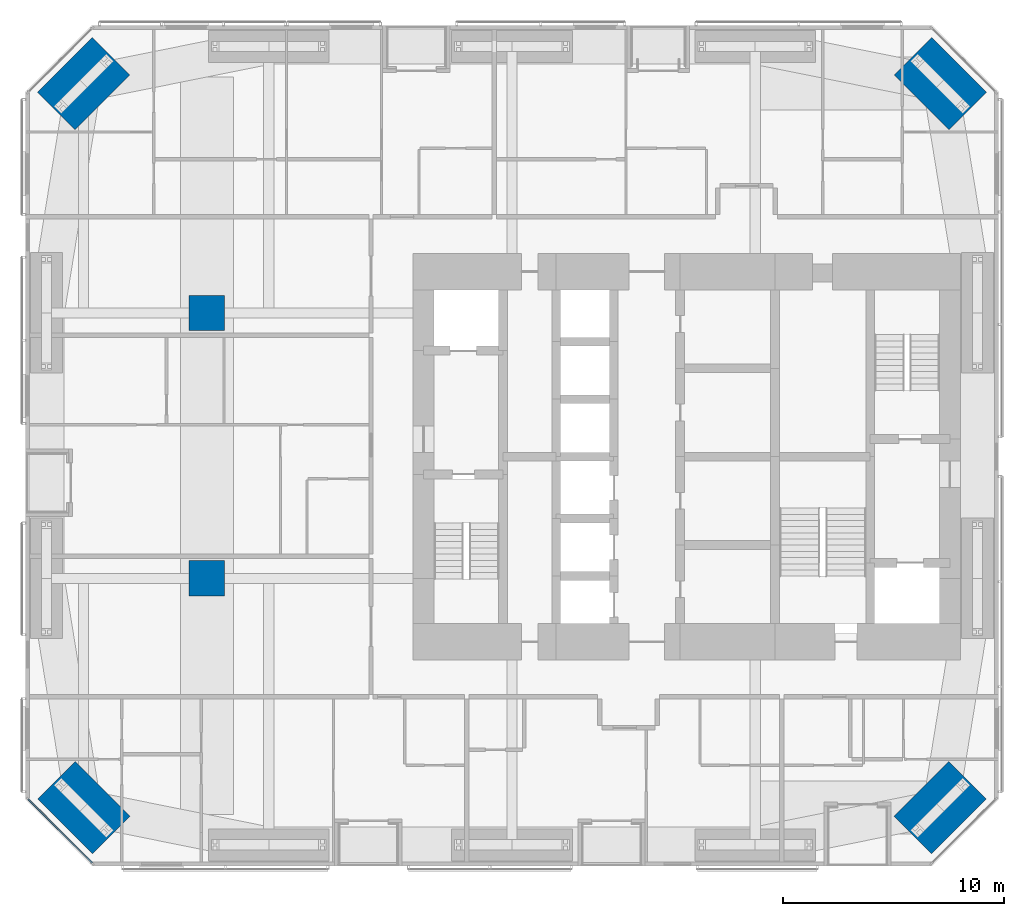
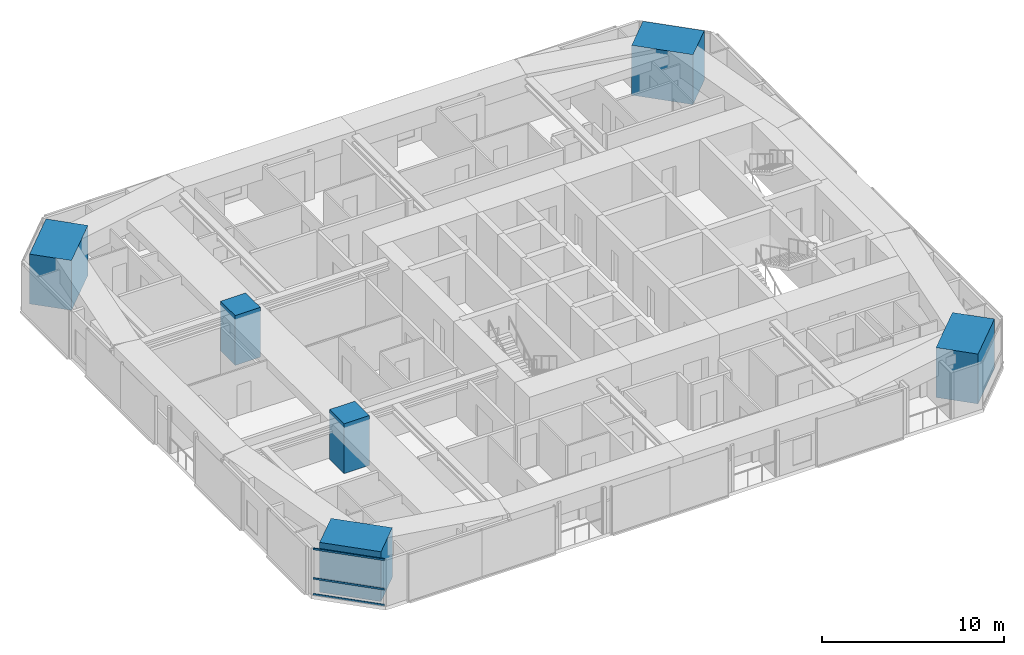
# One storey, part 1 of 23: 6 columns, 3 members, 1 element without a shape of its own.
"""IFC4 building model written with IfcOpenShell, lengths in metres."""

import ifcopenshell
import ifcopenshell.guid

model = None  # the IFC model being written
_history = None  # IfcOwnerHistory: only IFC2X3 demands one
_inside = {}  # id of a spatial element -> (the spatial element, [elements in it])
_under = {}  # id of a project, library or spatial element -> (it, [spatial elements below it])
_declared = {}  # id of a project -> (the project, [libraries it declares])
_typed = {}  # id of a type object -> (the type object, [elements of that type])
_made_of = {}  # id of a material, layer set ... -> (it, [elements and type objects made of it])


def new_model(schema):
    """Start an empty IFC model of exactly this schema.

    Asked for "IFC4X3", IfcOpenShell would pick the latest addendum, in which some entities
    have other attributes; the version numbers below select the first issue.
    IFC2X3 requires an IfcOwnerHistory on every rooted entity: one is made here for all.
    """
    global model, _history
    if schema == "IFC4X3":
        model = ifcopenshell.file(schema_version=(4, 3, 0, 0))
    else:
        model = ifcopenshell.file(schema=schema)
    _inside.clear()
    _under.clear()
    _declared.clear()
    _typed.clear()
    _made_of.clear()
    _history = None
    if model.schema == "IFC2X3":
        org = make("IfcOrganization", Name="unknown")
        user = make(
            "IfcPersonAndOrganization",
            ThePerson=make("IfcPerson", FamilyName="unknown"),
            TheOrganization=org,
        )
        app = make(
            "IfcApplication",
            ApplicationDeveloper=org,
            Version="unknown",
            ApplicationFullName="unknown",
            ApplicationIdentifier="unknown",
        )
        _history = make(
            "IfcOwnerHistory",
            OwningUser=user,
            OwningApplication=app,
            ChangeAction="ADDED",
            CreationDate=0,
        )
    return model


def make(cls, **values):
    """One entity of the class cls with the attributes given. An attribute that is None is left unset."""
    return model.create_entity(
        cls, **{name: value for name, value in values.items() if value is not None}
    )


def rooted(cls, **values):
    """An entity with a GlobalId (a new one), such as an element, a storey or a relation."""
    return make(cls, GlobalId=ifcopenshell.guid.new(), OwnerHistory=_history, **values)


def si_unit(unit_type, name, prefix=None):
    """IfcSIUnit, for example si_unit("LENGTHUNIT", "METRE", prefix="MILLI")."""
    return make("IfcSIUnit", UnitType=unit_type, Prefix=prefix, Name=name)


def assignment(units):
    """IfcUnitAssignment: the units of a project."""
    return None if units is None else make("IfcUnitAssignment", Units=units)


def point(xyz):
    """IfcCartesianPoint."""
    return None if xyz is None else make("IfcCartesianPoint", Coordinates=xyz)


def direction(xyz):
    """IfcDirection."""
    return None if xyz is None else make("IfcDirection", DirectionRatios=xyz)


def frame(location, z_axis=None, x_axis=None):
    """IfcAxis2Placement3D, a coordinate frame: its origin and axes. An axis left out is left unset."""
    return make(
        "IfcAxis2Placement3D",
        Location=point(location),
        Axis=direction(z_axis),
        RefDirection=direction(x_axis),
    )


def frame_2d(location, x_axis=None):
    """IfcAxis2Placement2D, a coordinate frame in the plane: its origin and x axis."""
    return make(
        "IfcAxis2Placement2D", Location=point(location), RefDirection=direction(x_axis)
    )


def origin():
    """The frame at (0, 0, 0) with its axes left unset."""
    return frame((0.0, 0.0, 0.0))


def origin_2d():
    """The frame at (0, 0) in the plane with its x axis left unset."""
    return frame_2d((0.0, 0.0))


def place(relative_to, where):
    """IfcLocalPlacement: puts the frame where relative to a parent placement (None: the world)."""
    return make(
        "IfcLocalPlacement", PlacementRelTo=relative_to, RelativePlacement=where
    )


def context(
    kind, dimensions, precision=None, world=None, true_north=None, identifier=None
):
    """IfcGeometricRepresentationContext, for example the 3D "Model" context."""
    return make(
        "IfcGeometricRepresentationContext",
        ContextIdentifier=identifier,
        ContextType=kind,
        CoordinateSpaceDimension=dimensions,
        Precision=precision,
        WorldCoordinateSystem=world,
        TrueNorth=true_north,
    )


def subcontext(parent, identifier, kind, view, scale=None):
    """IfcGeometricRepresentationSubContext, for example "Body" below "Model"."""
    return make(
        "IfcGeometricRepresentationSubContext",
        ContextIdentifier=identifier,
        ContextType=kind,
        ParentContext=parent,
        TargetScale=scale,
        TargetView=view,
    )


def project(units=None, contexts=None):
    """IfcProject with its units and contexts."""
    return rooted(
        "IfcProject",
        Name="project",
        RepresentationContexts=contexts,
        UnitsInContext=assignment(units),
    )


def spatial(cls, under=None, at=None, **own):
    """A site, building, storey or space (cls), placed at a placement, below another one or the project."""
    s = rooted(cls, ObjectPlacement=at, **own)
    if under is not None:
        _under.setdefault(under.id(), (under, []))[1].append(s)
    return s


def profile(cls, at=None, kind="AREA", **sizes):
    """A parametric profile (cls). Its sizes go by their IFC names, for example OverallWidth=200.0."""
    return make(cls, ProfileType=kind, Position=at, **sizes)


def rectangle(**sizes):
    """IfcRectangleProfileDef."""
    return profile("IfcRectangleProfileDef", **sizes)


def extrude(swept, where, along, depth):
    """IfcExtrudedAreaSolid: the profile swept, set in the frame where, extruded along a direction by depth."""
    return make(
        "IfcExtrudedAreaSolid",
        SweptArea=swept,
        Position=where,
        ExtrudedDirection=direction(along),
        Depth=depth,
    )


def shape(context_of_items, identifier, shape_type, items):
    """IfcShapeRepresentation: the items that make up one representation, for example the "Body"."""
    return make(
        "IfcShapeRepresentation",
        ContextOfItems=context_of_items,
        RepresentationIdentifier=identifier,
        RepresentationType=shape_type,
        Items=items,
    )


def material(Name=None, Category=None):
    """IfcMaterial."""
    return make("IfcMaterial", Name=Name, Category=Category)


def material_profile(
    of_material, cross_section, Name=None, Category=None, Priority=None
):
    """IfcMaterialProfile: a cross section and its material."""
    return make(
        "IfcMaterialProfile",
        Name=Name,
        Material=of_material,
        Profile=cross_section,
        Priority=Priority,
        Category=Category,
    )


def profile_set(profiles, Name=None, composite=None):
    """IfcMaterialProfileSet."""
    return make(
        "IfcMaterialProfileSet",
        Name=Name,
        MaterialProfiles=profiles,
        CompositeProfile=composite,
    )


def made_of(thing, what):
    """Note that an element or type object is made of a material, layer set ...; save() writes the relation."""
    if what is not None:
        _made_of.setdefault(what.id(), (what, []))[1].append(thing)
    return thing


def type_object(cls, material=None, **own):
    """A type object (cls), such as IfcWallType, which elements share."""
    return made_of(rooted(cls, **own), material)


def element(
    cls,
    number,
    at=None,
    inside=None,
    cuts=None,
    type_object=None,
    material=None,
    context=None,
    identifier="Body",
    shape_type=None,
    held_by="IfcProductDefinitionShape",
    body=None,
    shapes=None,
    **own,
):
    """One element of the class cls, such as IfcWall. Its Tag is "e" and its number.

    at: its placement. inside: the storey or other place that contains it. cuts: it is an
    opening in that element (IfcRelVoidsElement). A single representation is given by context,
    identifier, shape_type and body (its items); several are given by shapes. held_by: the class
    of the entity that holds the representations. save() writes the other relations.
    """
    e = rooted(cls, Tag="e%d" % number, ObjectPlacement=at, **own)
    if body is not None:
        shapes = [shape(context, identifier, shape_type, body)]
    if shapes is not None:
        e.Representation = make(held_by, Representations=shapes)
    if inside is not None:
        _inside.setdefault(inside.id(), (inside, []))[1].append(e)
    if cuts is not None:
        rooted(
            "IfcRelVoidsElement", RelatingBuildingElement=cuts, RelatedOpeningElement=e
        )
    if type_object is not None:
        _typed.setdefault(type_object.id(), (type_object, []))[1].append(e)
    return made_of(e, material)


def aggregate(whole, parts):
    """IfcRelAggregates: a whole, such as a stair, and the parts it consists of."""
    return rooted("IfcRelAggregates", RelatingObject=whole, RelatedObjects=parts)


def save(model, path):
    """Write the relations noted so far, then the file.

    IfcRelAggregates (storeys below a building ...), IfcRelContainedInSpatialStructure (elements
    in a storey), IfcRelDefinesByType, IfcRelAssociatesMaterial and IfcRelDeclares: one each for
    every whole, place, type object, material and project.
    """
    for whole, parts in _under.values():
        aggregate(whole, parts)
    for where, things in _inside.values():
        rooted(
            "IfcRelContainedInSpatialStructure",
            RelatedElements=things,
            RelatingStructure=where,
        )
    for kind, things in _typed.values():
        rooted("IfcRelDefinesByType", RelatedObjects=things, RelatingType=kind)
    for what, things in _made_of.values():
        rooted("IfcRelAssociatesMaterial", RelatedObjects=things, RelatingMaterial=what)
    for by, libraries in _declared.values():
        rooted("IfcRelDeclares", RelatingContext=by, RelatedDefinitions=libraries)
    model.write(path)


model = new_model("IFC4")

# Units and contexts
model_context = context("Model", 3, precision=1e-05, world=origin(), true_north=direction((0.0, 1.0)))
body_context = subcontext(model_context, "Body", "Model", "MODEL_VIEW")
ifc_project = project(units=[si_unit("LENGTHUNIT", "METRE"), si_unit("AREAUNIT", "SQUARE_METRE"), si_unit("VOLUMEUNIT", "CUBIC_METRE"), si_unit("PLANEANGLEUNIT", "RADIAN"), si_unit("MASSUNIT", "GRAM", prefix="KILO")], contexts=[model_context])

# Site, building, storey
site_placement = place(None, origin())
site = spatial("IfcSite", under=ifc_project, at=site_placement, CompositionType="ELEMENT")
building_placement = place(site_placement, origin())
building = spatial("IfcBuilding", under=site, at=building_placement, Name="Jalousie Tower", CompositionType="ELEMENT")
storey_placement = place(building_placement, frame((0.0, 0.0, 41.10009765625)))
storey = spatial("IfcBuildingStorey", under=building, at=storey_placement, Name="L10", CompositionType="ELEMENT", Elevation=41.10009765625)

# Columns
ifc_material_1 = material(Name="Concrete f'c 120 MPa", Category="concrete")
ifc_material_profile_1 = material_profile(ifc_material_1, rectangle(XDim=1.60009765625, YDim=1.60009765625, at=origin_2d()), Name="RC 1600x1600")
ifc_profile_set_1 = profile_set([ifc_material_profile_1], Name="Concrete f'c 120 MPa")
column_type_1 = type_object("IfcColumnType", Name="RC COLUMN 1600x1600", PredefinedType="COLUMN", material=ifc_profile_set_1)
for number, where, z_axis, x_axis, name in (
    (1, (10.199951171875, 13.0, 0.0), (0.0, 0.0, 1.0), (1.0, 0.0, 0.0), "Interior column IA1 L10"),
    (2, (10.199951171875, 25.0, 0.0), (0.0, 0.0, 1.0), (1.0, 0.0, 0.0), "Interior column IA2 L10"),
):
    element("IfcColumn", number, at=place(storey_placement, frame(where, z_axis=z_axis, x_axis=x_axis)), inside=storey, type_object=column_type_1, Name=name, PredefinedType="COLUMN", context=body_context, shape_type="SweptSolid", body=[
        extrude(rectangle(XDim=1.60009765625, YDim=1.60009765625, at=origin_2d()), origin(), (0.0, 0.0, 1.0), 3.349853515625),
    ])
ifc_material_2 = material(Name="Concrete f'c 120 MPa", Category="concrete")
ifc_material_profile_2 = material_profile(ifc_material_2, rectangle(XDim=2.39990234375, YDim=3.5, at=origin_2d()), Name="RC 2400x3500")
ifc_profile_set_2 = profile_set([ifc_material_profile_2], Name="Concrete f'c 120 MPa")
column_type_2 = type_object("IfcColumnType", Name="RC CORNER COLUMN 2400x3500", PredefinedType="COLUMN", material=ifc_profile_set_2)
for number, where, z_axis, x_axis, name in (
    (3, (4.63134765625, 2.63134765625, 0.0), (0.0, 0.0, 1.0), (0.707106781187, 0.707106781187, 0.0), "Corner column 01 L10"),
    (4, (43.36865234375, 2.63134765625, 0.0), (0.0, 0.0, 1.0), (-0.707106781187, 0.707106781187, 0.0), "Corner column 05 L10"),
    (5, (43.36865234375, 35.36865234375, 0.0), (0.0, 0.0, 1.0), (-0.707106781187, -0.707106781187, 0.0), "Corner column 08 L10"),
    (6, (4.63134765625, 35.36865234375, 0.0), (0.0, 0.0, 1.0), (0.707106781187, -0.707106781187, 0.0), "Corner column 12 L10"),
):
    element("IfcColumn", number, at=place(storey_placement, frame(where, z_axis=z_axis, x_axis=x_axis)), inside=storey, type_object=column_type_2, Name=name, PredefinedType="COLUMN", context=body_context, shape_type="SweptSolid", body=[
        extrude(rectangle(XDim=2.39990234375, YDim=3.5, at=origin_2d()), origin(), (0.0, 0.0, 1.0), 3.349853515625),
    ])

# Curtain wall, members
ifc_material_3 = material(Name="Aluminium curtain wall", Category="aluminium")
curtain_wall_type = type_object("IfcCurtainWallType", Name="CORNER WINDOW WALL", PredefinedType="USERDEFINED", material=ifc_material_3)
curtain_wall_placement = place(storey_placement, origin())
curtain_wall = element("IfcCurtainWall", 7, at=curtain_wall_placement, inside=storey, type_object=curtain_wall_type, Name="Corner Window Wall L10 8", ObjectType="CORNER WINDOW WALL", PredefinedType="USERDEFINED")
ifc_material_4 = material(Name="Aluminium transom", Category="aluminium")
ifc_material_profile_3 = material_profile(ifc_material_4, rectangle(XDim=0.06005859375, YDim=0.1201171875, at=origin_2d()), Name="TRANSOM 60x120")
ifc_profile_set_3 = profile_set([ifc_material_profile_3], Name="Aluminium transom")
member_type = type_object("IfcMemberType", Name="CORNER WINDOW WALL TRANSOM", PredefinedType="USERDEFINED", material=ifc_profile_set_3)
member_1_placement = place(storey_placement, frame((2.1298828125, 3.0087890625, 0.02978515625), z_axis=(0.707106781187, -0.707106781187, 0.0), x_axis=(0.707106781187, 0.707106781187, 0.0)))
member_1 = element("IfcMember", 8, at=member_1_placement, type_object=member_type, Name="CW-C transom 1.1", ObjectType="TRANSOM", PredefinedType="USERDEFINED", context=body_context, shape_type="SweptSolid", body=[
    extrude(rectangle(XDim=0.06005859375, YDim=0.1201171875, at=origin_2d()), origin(), (0.0, 0.0, 1.0), 4.0712890625),
])
member_2_placement = place(storey_placement, frame((2.1298828125, 3.0087890625, 1.099853515625), z_axis=(0.707106781187, -0.707106781187, 0.0), x_axis=(0.707106781187, 0.707106781187, 0.0)))
member_2 = element("IfcMember", 9, at=member_2_placement, type_object=member_type, Name="CW-C transom 1.2", ObjectType="TRANSOM", PredefinedType="USERDEFINED", context=body_context, shape_type="SweptSolid", body=[
    extrude(rectangle(XDim=0.06005859375, YDim=0.1201171875, at=origin_2d()), origin(), (0.0, 0.0, 1.0), 4.0712890625),
])
member_3_placement = place(storey_placement, frame((2.1298828125, 3.0087890625, 3.079833984375), z_axis=(0.707106781187, -0.707106781187, 0.0), x_axis=(0.707106781187, 0.707106781187, 0.0)))
member_3 = element("IfcMember", 10, at=member_3_placement, type_object=member_type, Name="CW-C transom 1.3", ObjectType="TRANSOM", PredefinedType="USERDEFINED", context=body_context, shape_type="SweptSolid", body=[
    extrude(rectangle(XDim=0.06005859375, YDim=0.1201171875, at=origin_2d()), origin(), (0.0, 0.0, 1.0), 4.0712890625),
])
aggregate(curtain_wall, [member_1, member_2, member_3])

save(model, "model.ifc")
